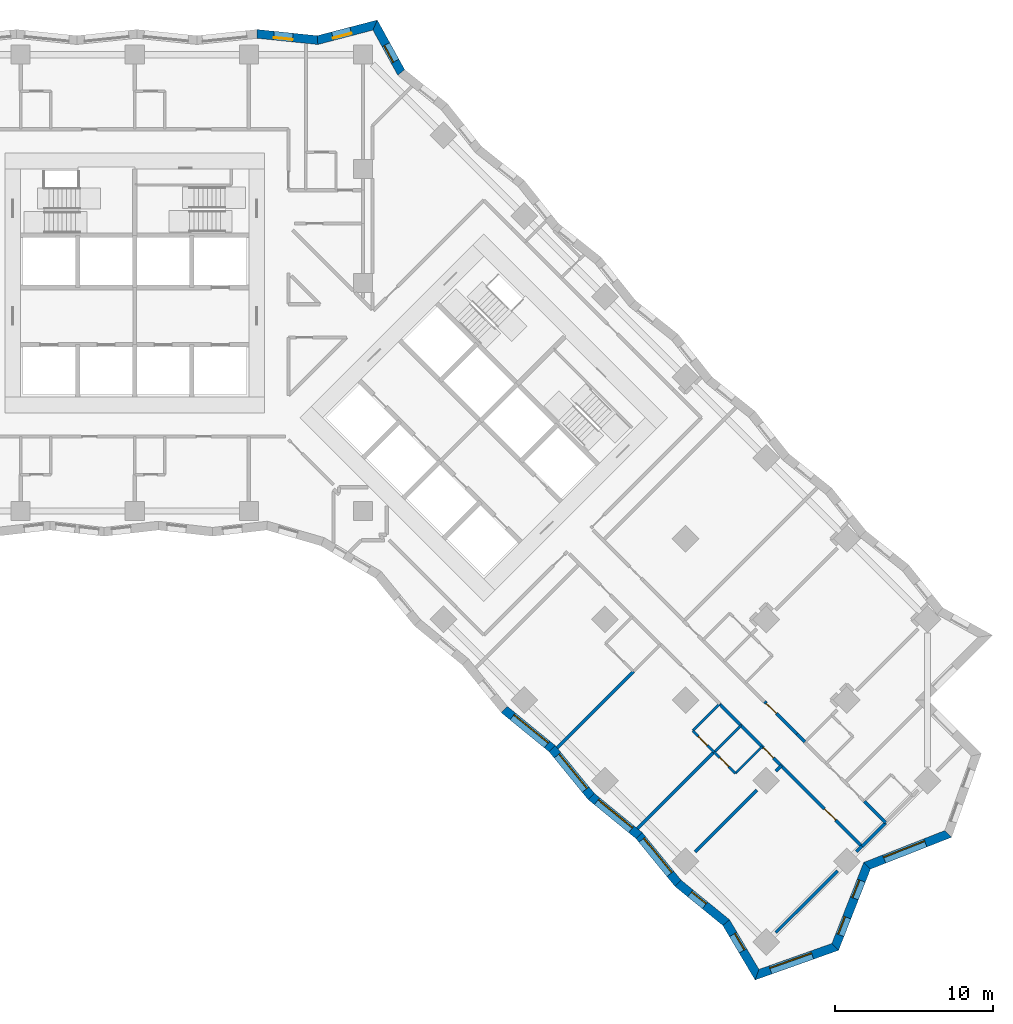
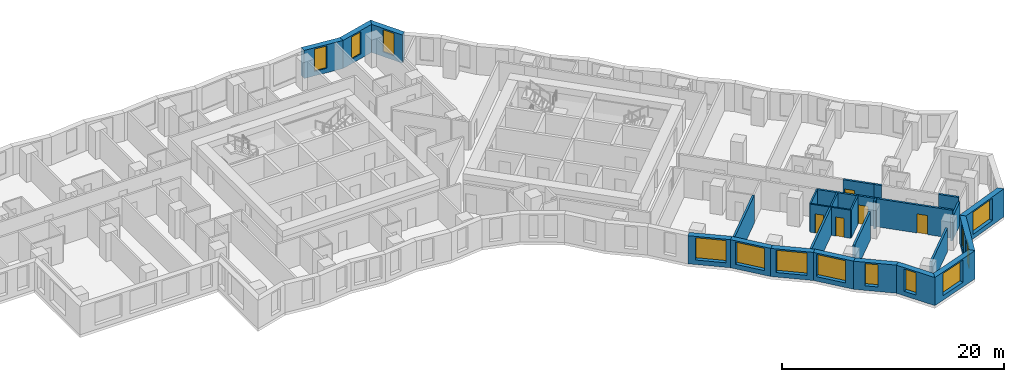
# One storey, part 7 of 12: 29 walls, 13 windows, 5 doors, 18 openings.
"""IFC4 building model written with IfcOpenShell, lengths in metres."""

from ifc_helpers import new_model, si_unit, direction, frame, frame_2d, origin, place, context, subcontext, project, spatial, polyline, rectangle, outline, extrude, material, layer, layer_set, type_object, element, fill, save


model = new_model("IFC4")

# Units and contexts
model_context = context("Model", 3, precision=1e-05, world=origin(), true_north=direction((0.0, 1.0)))
body_context = subcontext(model_context, "Body", "Model", "MODEL_VIEW")
ifc_project = project(units=[si_unit("LENGTHUNIT", "METRE"), si_unit("AREAUNIT", "SQUARE_METRE"), si_unit("VOLUMEUNIT", "CUBIC_METRE"), si_unit("PLANEANGLEUNIT", "RADIAN"), si_unit("MASSUNIT", "GRAM", prefix="KILO")], contexts=[model_context])

# Site, building, storey
site_placement = place(None, origin())
site = spatial("IfcSite", under=ifc_project, at=site_placement, CompositionType="ELEMENT")
building_placement = place(site_placement, origin())
building = spatial("IfcBuilding", under=site, at=building_placement, Name="Windrow Commons", CompositionType="ELEMENT")
storey_placement = place(building_placement, frame((0.0, 0.0, 37.2)))
storey = spatial("IfcBuildingStorey", under=building, at=storey_placement, Name="L09", CompositionType="ELEMENT", Elevation=37.2)

# Wall, opening, window
ifc_material_1 = material(Name="Brick masonry, red clay brick", Category="masonry")
ifc_layer_1 = layer(ifc_material_1, 0.55)
ifc_layer_set_1 = layer_set([ifc_layer_1], Name="Brick facade wall 550")
wall_type_1 = type_object("IfcWallType", Name="Brick facade wall 550", PredefinedType="SOLIDWALL", material=ifc_layer_set_1)
wall_1_placement = place(storey_placement, frame((104.0762, 13.9343, 0.0), z_axis=(0.0, 0.0, 1.0), x_axis=(0.9422329025, 0.3349584414, 0.0)))
wall_1 = element("IfcWall", 1, at=wall_1_placement, inside=storey, type_object=wall_type_1, Name="Brick facade wall L09 1", PredefinedType="SOLIDWALL", context=body_context, shape_type="SweptSolid", body=[
    extrude(outline(polyline([(-0.2263, -0.275), (5.3629, -0.275), (5.1124, 0.275), (0.2263, 0.275), (-0.2263, -0.275)])), origin(), (0.0, 0.0, 1.0), 3.1),
])
opening_1_placement = place(wall_1_placement, frame((0.8954, 0.0, 0.5)))
opening_1 = element("IfcOpeningElement", 2, at=opening_1_placement, cuts=wall_1, Name="Opening W1T", PredefinedType="OPENING", context=body_context, shape_type="SweptSolid", body=[
    extrude(rectangle(XDim=2.8, YDim=2.45, at=frame_2d((1.4, 1.225))), frame((0.0, 0.285, 0.0), z_axis=(0.0, -1.0, 0.0), x_axis=(1.0, 0.0, 0.0)), (0.0, 0.0, 1.0), 0.57),
])
ifc_material_2 = material(Name="Clear float glass in anodised aluminium frame", Category="aluminium")
window_type_1 = type_object("IfcWindowType", Name="Window W1T bedroom 2800x2450", PartitioningType="SINGLE_PANEL", PredefinedType="WINDOW", material=ifc_material_2)
window_1_placement = place(opening_1_placement, origin())
window_1 = element("IfcWindow", 3, at=window_1_placement, inside=storey, type_object=window_type_1, Name="Window L09 1.1", OverallHeight=2.45, OverallWidth=2.8, PartitioningType="SINGLE_PANEL", PredefinedType="WINDOW", context=body_context, shape_type="SweptSolid", body=[
    extrude(rectangle(XDim=2.8, YDim=2.45, at=frame_2d((1.4, 1.225))), frame((0.0, 0.155, 0.0), z_axis=(0.0, -1.0, 0.0), x_axis=(1.0, 0.0, 0.0)), (0.0, 0.0, 1.0), 0.06),
])
fill(opening_1, window_1)

# Wall, openings, windows
wall_2_placement = place(storey_placement, frame((109.0113, 15.6887, 0.0), z_axis=(0.0, 0.0, 1.0), x_axis=(0.3657013038, 0.9307322689, 0.0)))
wall_2 = element("IfcWall", 4, at=wall_2_placement, inside=storey, type_object=wall_type_1, Name="Brick facade wall L09 2", PredefinedType="SOLIDWALL", context=body_context, shape_type="SweptSolid", body=[
    extrude(outline(polyline([(-0.1253, -0.275), (5.3811, -0.275), (5.6208, 0.275), (0.1253, 0.275), (-0.1253, -0.275)])), origin(), (0.0, 0.0, 1.0), 3.1),
])
opening_2_placement = place(wall_2_placement, frame((0.8043, 0.0, 0.5)))
opening_2 = element("IfcOpeningElement", 5, at=opening_2_placement, cuts=wall_2, Name="Opening W7D", PredefinedType="OPENING", context=body_context, shape_type="SweptSolid", body=[
    extrude(rectangle(XDim=1.2, YDim=2.45, at=frame_2d((0.6, 1.225))), frame((0.0, 0.285, 0.0), z_axis=(0.0, -1.0, 0.0), x_axis=(1.0, 0.0, 0.0)), (0.0, 0.0, 1.0), 0.57),
])
opening_3_placement = place(wall_2_placement, frame((3.2921, 0.0, 0.5)))
opening_3 = element("IfcOpeningElement", 6, at=opening_3_placement, cuts=wall_2, Name="Opening W7D", PredefinedType="OPENING", context=body_context, shape_type="SweptSolid", body=[
    extrude(rectangle(XDim=1.2, YDim=2.45, at=frame_2d((0.6, 1.225))), frame((0.0, 0.285, 0.0), z_axis=(0.0, -1.0, 0.0), x_axis=(1.0, 0.0, 0.0)), (0.0, 0.0, 1.0), 0.57),
])
ifc_material_3 = material(Name="Clear float glass in anodised aluminium frame", Category="aluminium")
window_type_2 = type_object("IfcWindowType", Name="Window W7 notch 1200x2450", PartitioningType="SINGLE_PANEL", PredefinedType="WINDOW", material=ifc_material_3)
window_2_placement = place(opening_2_placement, origin())
window_2 = element("IfcWindow", 7, at=window_2_placement, inside=storey, type_object=window_type_2, Name="Window L09 2.1", OverallHeight=2.45, OverallWidth=1.2, PartitioningType="SINGLE_PANEL", PredefinedType="WINDOW", context=body_context, shape_type="SweptSolid", body=[
    extrude(rectangle(XDim=1.2, YDim=2.45, at=frame_2d((0.6, 1.225))), frame((0.0, 0.155, 0.0), z_axis=(0.0, -1.0, 0.0), x_axis=(1.0, 0.0, 0.0)), (0.0, 0.0, 1.0), 0.06),
])
fill(opening_2, window_2)
window_3_placement = place(opening_3_placement, origin())
window_3 = element("IfcWindow", 8, at=window_3_placement, inside=storey, type_object=window_type_2, Name="Window L09 2.2", OverallHeight=2.45, OverallWidth=1.2, PartitioningType="SINGLE_PANEL", PredefinedType="WINDOW", context=body_context, shape_type="SweptSolid", body=[
    extrude(rectangle(XDim=1.2, YDim=2.45, at=frame_2d((0.6, 1.225))), frame((0.0, 0.155, 0.0), z_axis=(0.0, -1.0, 0.0), x_axis=(1.0, 0.0, 0.0)), (0.0, 0.0, 1.0), 0.06),
])
fill(opening_3, window_3)

# Wall, opening, window
wall_3_placement = place(storey_placement, frame((111.023, 20.8086, 0.0), z_axis=(0.0, 0.0, 1.0), x_axis=(0.9307322689, 0.3657013038, 0.0)))
wall_3 = element("IfcWall", 9, at=wall_3_placement, inside=storey, type_object=wall_type_1, Name="Brick facade wall L09 3", PredefinedType="SOLIDWALL", context=body_context, shape_type="SweptSolid", body=[
    extrude(outline(polyline([(0.1199, -0.275), (5.6262, -0.275), (5.3757, 0.275), (-0.1199, 0.275), (0.1199, -0.275)])), origin(), (0.0, 0.0, 1.0), 3.1),
])
opening_4_placement = place(wall_3_placement, frame((1.1539, 0.0, 0.5)))
opening_4 = element("IfcOpeningElement", 10, at=opening_4_placement, cuts=wall_3, Name="Opening W1T", PredefinedType="OPENING", context=body_context, shape_type="SweptSolid", body=[
    extrude(rectangle(XDim=2.8, YDim=2.45, at=frame_2d((1.4, 1.225))), frame((0.0, 0.285, 0.0), z_axis=(0.0, -1.0, 0.0), x_axis=(1.0, 0.0, 0.0)), (0.0, 0.0, 1.0), 0.57),
])
window_4_placement = place(opening_4_placement, origin())
window_4 = element("IfcWindow", 11, at=window_4_placement, inside=storey, type_object=window_type_1, Name="Window L09 3.1", OverallHeight=2.45, OverallWidth=2.8, PartitioningType="SINGLE_PANEL", PredefinedType="WINDOW", context=body_context, shape_type="SweptSolid", body=[
    extrude(rectangle(XDim=2.8, YDim=2.45, at=frame_2d((1.4, 1.225))), frame((0.0, 0.155, 0.0), z_axis=(0.0, -1.0, 0.0), x_axis=(1.0, 0.0, 0.0)), (0.0, 0.0, 1.0), 0.06),
])
fill(opening_4, window_4)

wall_4_placement = place(storey_placement, frame((81.6192, 70.8827, 0.0), z_axis=(0.0, 0.0, 1.0), x_axis=(-0.4831532481, 0.875535801, 0.0)))
wall_4 = element("IfcWall", 12, at=wall_4_placement, inside=storey, type_object=wall_type_1, Name="Brick facade wall L09 22", PredefinedType="SOLIDWALL", context=body_context, shape_type="SweptSolid", body=[
    extrude(outline(polyline([(0.055, -0.275), (3.6269, -0.275), (3.1992, 0.275), (-0.055, 0.275), (0.055, -0.275)])), origin(), (0.0, 0.0, 1.0), 3.1),
])
opening_5_placement = place(wall_4_placement, frame((0.8015, 0.0, 0.5)))
opening_5 = element("IfcOpeningElement", 13, at=opening_5_placement, cuts=wall_4, Name="Opening W7D", PredefinedType="OPENING", context=body_context, shape_type="SweptSolid", body=[
    extrude(rectangle(XDim=1.2, YDim=2.45, at=frame_2d((0.6, 1.225))), frame((0.0, 0.285, 0.0), z_axis=(0.0, -1.0, 0.0), x_axis=(1.0, 0.0, 0.0)), (0.0, 0.0, 1.0), 0.57),
])
window_5_placement = place(opening_5_placement, origin())
window_5 = element("IfcWindow", 14, at=window_5_placement, inside=storey, type_object=window_type_2, Name="Window L09 22.1", OverallHeight=2.45, OverallWidth=1.2, PartitioningType="SINGLE_PANEL", PredefinedType="WINDOW", context=body_context, shape_type="SweptSolid", body=[
    extrude(rectangle(XDim=1.2, YDim=2.45, at=frame_2d((0.6, 1.225))), frame((0.0, 0.155, 0.0), z_axis=(0.0, -1.0, 0.0), x_axis=(1.0, 0.0, 0.0)), (0.0, 0.0, 1.0), 0.06),
])
fill(opening_5, window_5)

wall_5_placement = place(storey_placement, frame((79.9702, 73.8709, 0.0), z_axis=(0.0, 0.0, 1.0), x_axis=(-0.9675284554, -0.2527621176, 0.0)))
wall_5 = element("IfcWall", 15, at=wall_5_placement, inside=storey, type_object=wall_type_1, Name="Brick facade wall L09 23", PredefinedType="SOLIDWALL", context=body_context, shape_type="SweptSolid", body=[
    extrude(outline(polyline([(-0.2139, -0.275), (3.7071, -0.275), (3.8067, 0.275), (0.2139, 0.275), (-0.2139, -0.275)])), origin(), (0.0, 0.0, 1.0), 3.1),
])
opening_6_placement = place(wall_5_placement, frame((1.5764, 0.0, 0.5)))
opening_6 = element("IfcOpeningElement", 16, at=opening_6_placement, cuts=wall_5, Name="Opening W7D", PredefinedType="OPENING", context=body_context, shape_type="SweptSolid", body=[
    extrude(rectangle(XDim=1.2, YDim=2.45, at=frame_2d((0.6, 1.225))), frame((0.0, 0.285, 0.0), z_axis=(0.0, -1.0, 0.0), x_axis=(1.0, 0.0, 0.0)), (0.0, 0.0, 1.0), 0.57),
])
window_6_placement = place(opening_6_placement, origin())
window_6 = element("IfcWindow", 17, at=window_6_placement, inside=storey, type_object=window_type_2, Name="Window L09 23.1", OverallHeight=2.45, OverallWidth=1.2, PartitioningType="SINGLE_PANEL", PredefinedType="WINDOW", context=body_context, shape_type="SweptSolid", body=[
    extrude(rectangle(XDim=1.2, YDim=2.45, at=frame_2d((0.6, 1.225))), frame((0.0, 0.155, 0.0), z_axis=(0.0, -1.0, 0.0), x_axis=(1.0, 0.0, 0.0)), (0.0, 0.0, 1.0), 0.06),
])
fill(opening_6, window_6)

wall_6_placement = place(storey_placement, frame((76.3353, 72.9213, 0.0), z_axis=(0.0, 0.0, 1.0), x_axis=(-0.9947305582, 0.1025237367, 0.0)))
wall_6 = element("IfcWall", 18, at=wall_6_placement, inside=storey, type_object=wall_type_1, Name="Brick facade wall L09 24", PredefinedType="SOLIDWALL", context=body_context, shape_type="SweptSolid", body=[
    extrude(outline(polyline([(0.0498, -0.275), (3.8635, -0.275), (3.8069, 0.275), (-0.0498, 0.275), (0.0498, -0.275)])), origin(), (0.0, 0.0, 1.0), 3.1),
])
opening_7_placement = place(wall_6_placement, frame((1.573, 0.0, 0.5)))
opening_7 = element("IfcOpeningElement", 19, at=opening_7_placement, cuts=wall_6, Name="Opening W7D", PredefinedType="OPENING", context=body_context, shape_type="SweptSolid", body=[
    extrude(rectangle(XDim=1.2, YDim=2.45, at=frame_2d((0.6, 1.225))), frame((0.0, 0.285, 0.0), z_axis=(0.0, -1.0, 0.0), x_axis=(1.0, 0.0, 0.0)), (0.0, 0.0, 1.0), 0.57),
])
window_7_placement = place(opening_7_placement, origin())
window_7 = element("IfcWindow", 20, at=window_7_placement, inside=storey, type_object=window_type_2, Name="Window L09 24.1", OverallHeight=2.45, OverallWidth=1.2, PartitioningType="SINGLE_PANEL", PredefinedType="WINDOW", context=body_context, shape_type="SweptSolid", body=[
    extrude(rectangle(XDim=1.2, YDim=2.45, at=frame_2d((0.6, 1.225))), frame((0.0, 0.155, 0.0), z_axis=(0.0, -1.0, 0.0), x_axis=(1.0, 0.0, 0.0)), (0.0, 0.0, 1.0), 0.06),
])
fill(opening_7, window_7)

wall_7_placement = place(storey_placement, frame((88.129, 30.6648, 0.0), z_axis=(0.0, 0.0, 1.0), x_axis=(0.774508234, -0.6325638271, 0.0)))
wall_7 = element("IfcWall", 21, at=wall_7_placement, inside=storey, type_object=wall_type_1, Name="Brick facade wall L09 58", PredefinedType="SOLIDWALL", context=body_context, shape_type="SweptSolid", body=[
    extrude(outline(polyline([(-0.0277, -0.275), (3.8682, -0.275), (3.9237, 0.275), (0.0277, 0.275), (-0.0277, -0.275)])), origin(), (0.0, 0.0, 1.0), 3.1),
])
opening_8_placement = place(wall_7_placement, frame((0.6781, 0.0, 0.5)))
opening_8 = element("IfcOpeningElement", 22, at=opening_8_placement, cuts=wall_7, Name="Opening W1T", PredefinedType="OPENING", context=body_context, shape_type="SweptSolid", body=[
    extrude(rectangle(XDim=2.8, YDim=2.45, at=frame_2d((1.4, 1.225))), frame((0.0, 0.285, 0.0), z_axis=(0.0, -1.0, 0.0), x_axis=(1.0, 0.0, 0.0)), (0.0, 0.0, 1.0), 0.57),
])
window_8_placement = place(opening_8_placement, origin())
window_8 = element("IfcWindow", 23, at=window_8_placement, inside=storey, type_object=window_type_1, Name="Window L09 58.1", OverallHeight=2.45, OverallWidth=2.8, PartitioningType="SINGLE_PANEL", PredefinedType="WINDOW", context=body_context, shape_type="SweptSolid", body=[
    extrude(rectangle(XDim=2.8, YDim=2.45, at=frame_2d((1.4, 1.225))), frame((0.0, 0.155, 0.0), z_axis=(0.0, -1.0, 0.0), x_axis=(1.0, 0.0, 0.0)), (0.0, 0.0, 1.0), 0.06),
])
fill(opening_8, window_8)

wall_8_placement = place(storey_placement, frame((91.1464, 28.2004, 0.0), z_axis=(0.0, 0.0, 1.0), x_axis=(0.6325666489, -0.7745059294, 0.0)))
wall_8 = element("IfcWall", 24, at=wall_8_placement, inside=storey, type_object=wall_type_1, Name="Brick facade wall L09 59", PredefinedType="SOLIDWALL", context=body_context, shape_type="SweptSolid", body=[
    extrude(outline(polyline([(0.0277, -0.275), (3.9237, -0.275), (3.8682, 0.275), (-0.0277, 0.275), (0.0277, -0.275)])), origin(), (0.0, 0.0, 1.0), 3.1),
])
opening_9_placement = place(wall_8_placement, frame((0.5341, 0.0, 0.5)))
opening_9 = element("IfcOpeningElement", 25, at=opening_9_placement, cuts=wall_8, Name="Opening W1T", PredefinedType="OPENING", context=body_context, shape_type="SweptSolid", body=[
    extrude(rectangle(XDim=2.8, YDim=2.45, at=frame_2d((1.4, 1.225))), frame((0.0, 0.285, 0.0), z_axis=(0.0, -1.0, 0.0), x_axis=(1.0, 0.0, 0.0)), (0.0, 0.0, 1.0), 0.57),
])
window_9_placement = place(opening_9_placement, origin())
window_9 = element("IfcWindow", 26, at=window_9_placement, inside=storey, type_object=window_type_1, Name="Window L09 59.1", OverallHeight=2.45, OverallWidth=2.8, PartitioningType="SINGLE_PANEL", PredefinedType="WINDOW", context=body_context, shape_type="SweptSolid", body=[
    extrude(rectangle(XDim=2.8, YDim=2.45, at=frame_2d((1.4, 1.225))), frame((0.0, 0.155, 0.0), z_axis=(0.0, -1.0, 0.0), x_axis=(1.0, 0.0, 0.0)), (0.0, 0.0, 1.0), 0.06),
])
fill(opening_9, window_9)

wall_9_placement = place(storey_placement, frame((93.6109, 25.1829, 0.0), z_axis=(0.0, 0.0, 1.0), x_axis=(0.7744956586, -0.6325792241, 0.0)))
wall_9 = element("IfcWall", 27, at=wall_9_placement, inside=storey, type_object=wall_type_1, Name="Brick facade wall L09 60", PredefinedType="SOLIDWALL", context=body_context, shape_type="SweptSolid", body=[
    extrude(outline(polyline([(-0.0277, -0.275), (3.8682, -0.275), (3.9237, 0.275), (0.0277, 0.275), (-0.0277, -0.275)])), origin(), (0.0, 0.0, 1.0), 3.1),
])
opening_10_placement = place(wall_9_placement, frame((0.4754, 0.0, 0.5)))
opening_10 = element("IfcOpeningElement", 28, at=opening_10_placement, cuts=wall_9, Name="Opening W1T", PredefinedType="OPENING", context=body_context, shape_type="SweptSolid", body=[
    extrude(rectangle(XDim=2.8, YDim=2.45, at=frame_2d((1.4, 1.225))), frame((0.0, 0.285, 0.0), z_axis=(0.0, -1.0, 0.0), x_axis=(1.0, 0.0, 0.0)), (0.0, 0.0, 1.0), 0.57),
])
window_10_placement = place(opening_10_placement, origin())
window_10 = element("IfcWindow", 29, at=window_10_placement, inside=storey, type_object=window_type_1, Name="Window L09 60.1", OverallHeight=2.45, OverallWidth=2.8, PartitioningType="SINGLE_PANEL", PredefinedType="WINDOW", context=body_context, shape_type="SweptSolid", body=[
    extrude(rectangle(XDim=2.8, YDim=2.45, at=frame_2d((1.4, 1.225))), frame((0.0, 0.155, 0.0), z_axis=(0.0, -1.0, 0.0), x_axis=(1.0, 0.0, 0.0)), (0.0, 0.0, 1.0), 0.06),
])
fill(opening_10, window_10)

wall_10_placement = place(storey_placement, frame((96.6283, 22.7184, 0.0), z_axis=(0.0, 0.0, 1.0), x_axis=(0.6325792241, -0.7744956586, 0.0)))
wall_10 = element("IfcWall", 30, at=wall_10_placement, inside=storey, type_object=wall_type_1, Name="Brick facade wall L09 61", PredefinedType="SOLIDWALL", context=body_context, shape_type="SweptSolid", body=[
    extrude(outline(polyline([(0.0277, -0.275), (3.9237, -0.275), (3.8682, 0.275), (-0.0277, 0.275), (0.0277, -0.275)])), origin(), (0.0, 0.0, 1.0), 3.1),
])
opening_11_placement = place(wall_10_placement, frame((0.3227, 0.0, 0.5)))
opening_11 = element("IfcOpeningElement", 31, at=opening_11_placement, cuts=wall_10, Name="Opening W1T", PredefinedType="OPENING", context=body_context, shape_type="SweptSolid", body=[
    extrude(rectangle(XDim=2.8, YDim=2.45, at=frame_2d((1.4, 1.225))), frame((0.0, 0.285, 0.0), z_axis=(0.0, -1.0, 0.0), x_axis=(1.0, 0.0, 0.0)), (0.0, 0.0, 1.0), 0.57),
])
window_11_placement = place(opening_11_placement, origin())
window_11 = element("IfcWindow", 32, at=window_11_placement, inside=storey, type_object=window_type_1, Name="Window L09 61.1", OverallHeight=2.45, OverallWidth=2.8, PartitioningType="SINGLE_PANEL", PredefinedType="WINDOW", context=body_context, shape_type="SweptSolid", body=[
    extrude(rectangle(XDim=2.8, YDim=2.45, at=frame_2d((1.4, 1.225))), frame((0.0, 0.155, 0.0), z_axis=(0.0, -1.0, 0.0), x_axis=(1.0, 0.0, 0.0)), (0.0, 0.0, 1.0), 0.06),
])
fill(opening_11, window_11)

wall_11_placement = place(storey_placement, frame((99.0928, 19.701, 0.0), z_axis=(0.0, 0.0, 1.0), x_axis=(0.7744973138, -0.6325771976, 0.0)))
wall_11 = element("IfcWall", 33, at=wall_11_placement, inside=storey, type_object=wall_type_1, Name="Brick facade wall L09 62", PredefinedType="SOLIDWALL", context=body_context, shape_type="SweptSolid", body=[
    extrude(outline(polyline([(-0.0277, -0.275), (3.8682, -0.275), (3.9657, 0.275), (0.0277, 0.275), (-0.0277, -0.275)])), origin(), (0.0, 0.0, 1.0), 3.1),
])
opening_12_placement = place(wall_11_placement, frame((0.9977, 0.0, 0.5)))
opening_12 = element("IfcOpeningElement", 34, at=opening_12_placement, cuts=wall_11, Name="Opening W7D", PredefinedType="OPENING", context=body_context, shape_type="SweptSolid", body=[
    extrude(rectangle(XDim=1.2, YDim=2.45, at=frame_2d((0.6, 1.225))), frame((0.0, 0.285, 0.0), z_axis=(0.0, -1.0, 0.0), x_axis=(1.0, 0.0, 0.0)), (0.0, 0.0, 1.0), 0.57),
])
window_12_placement = place(opening_12_placement, origin())
window_12 = element("IfcWindow", 35, at=window_12_placement, inside=storey, type_object=window_type_2, Name="Window L09 62.1", OverallHeight=2.45, OverallWidth=1.2, PartitioningType="SINGLE_PANEL", PredefinedType="WINDOW", context=body_context, shape_type="SweptSolid", body=[
    extrude(rectangle(XDim=1.2, YDim=2.45, at=frame_2d((0.6, 1.225))), frame((0.0, 0.155, 0.0), z_axis=(0.0, -1.0, 0.0), x_axis=(1.0, 0.0, 0.0)), (0.0, 0.0, 1.0), 0.06),
])
fill(opening_12, window_12)

wall_12_placement = place(storey_placement, frame((102.1265, 17.2232, 0.0), z_axis=(0.0, 0.0, 1.0), x_axis=(0.5099421862, -0.8602086763, 0.0)))
wall_12 = element("IfcWall", 36, at=wall_12_placement, inside=storey, type_object=wall_type_1, Name="Brick facade wall L09 63", PredefinedType="SOLIDWALL", context=body_context, shape_type="SweptSolid", body=[
    extrude(outline(polyline([(0.0487, -0.275), (4.0497, -0.275), (3.597, 0.275), (-0.0487, 0.275), (0.0487, -0.275)])), origin(), (0.0, 0.0, 1.0), 3.1),
])
opening_13_placement = place(wall_12_placement, frame((0.8704, 0.0, 0.5)))
opening_13 = element("IfcOpeningElement", 37, at=opening_13_placement, cuts=wall_12, Name="Opening W7D", PredefinedType="OPENING", context=body_context, shape_type="SweptSolid", body=[
    extrude(rectangle(XDim=1.2, YDim=2.45, at=frame_2d((0.6, 1.225))), frame((0.0, 0.285, 0.0), z_axis=(0.0, -1.0, 0.0), x_axis=(1.0, 0.0, 0.0)), (0.0, 0.0, 1.0), 0.57),
])
window_13_placement = place(opening_13_placement, origin())
window_13 = element("IfcWindow", 38, at=window_13_placement, inside=storey, type_object=window_type_2, Name="Window L09 63.1", OverallHeight=2.45, OverallWidth=1.2, PartitioningType="SINGLE_PANEL", PredefinedType="WINDOW", context=body_context, shape_type="SweptSolid", body=[
    extrude(rectangle(XDim=1.2, YDim=2.45, at=frame_2d((0.6, 1.225))), frame((0.0, 0.155, 0.0), z_axis=(0.0, -1.0, 0.0), x_axis=(1.0, 0.0, 0.0)), (0.0, 0.0, 1.0), 0.06),
])
fill(opening_13, window_13)

# Wall, openings, doors
ifc_material_4 = material(Name="Blockwork partition", Category="masonry")
ifc_layer_2 = layer(ifc_material_4, 0.2)
ifc_layer_set_2 = layer_set([ifc_layer_2], Name="IW-CORRIDOR-200")
wall_type_2 = type_object("IfcWallType", Name="IW-CORRIDOR-200", PredefinedType="PARTITIONING", material=ifc_layer_set_2)
wall_13_placement = place(storey_placement, frame((103.061, 29.677, 0.0), z_axis=(0.0, 0.0, 1.0), x_axis=(0.7071067812, -0.7071067812, 0.0)))
wall_13 = element("IfcWall", 39, at=wall_13_placement, inside=storey, type_object=wall_type_2, Name="W-L09-W009", PredefinedType="PARTITIONING", context=body_context, shape_type="SweptSolid", body=[
    extrude(rectangle(XDim=10.8018, YDim=0.2, at=frame_2d((5.4009, 0.0))), origin(), (0.0, 0.0, 1.0), 3.1),
])
opening_14_placement = place(wall_13_placement, frame((2.012, 0.0, 0.0)))
opening_14 = element("IfcOpeningElement", 40, at=opening_14_placement, cuts=wall_13, Name="Opening D109S", PredefinedType="OPENING", context=body_context, shape_type="SweptSolid", body=[
    extrude(rectangle(XDim=0.9, YDim=2.1, at=frame_2d((0.45, 1.05))), frame((0.0, 0.11, 0.0), z_axis=(0.0, -1.0, 0.0), x_axis=(1.0, 0.0, 0.0)), (0.0, 0.0, 1.0), 0.22),
])
opening_15_placement = place(wall_13_placement, frame((7.4633, 0.0, 0.0)))
opening_15 = element("IfcOpeningElement", 41, at=opening_15_placement, cuts=wall_13, Name="Opening D310F", PredefinedType="OPENING", context=body_context, shape_type="SweptSolid", body=[
    extrude(rectangle(XDim=1.0, YDim=2.1, at=frame_2d((0.5, 1.05))), frame((0.0, 0.11, 0.0), z_axis=(0.0, -1.0, 0.0), x_axis=(1.0, 0.0, 0.0)), (0.0, 0.0, 1.0), 0.22),
])
ifc_material_5 = material(Name="Timber door leaf", Category="wood")
door_type_1 = type_object("IfcDoorType", Name="DT-AMENITY-1000", OperationType="SINGLE_SWING_LEFT", PredefinedType="DOOR", material=ifc_material_5)
door_1_placement = place(opening_15_placement, origin())
door_1 = element("IfcDoor", 42, at=door_1_placement, inside=storey, type_object=door_type_1, Name="D-L09-D057", OperationType="SINGLE_SWING_RIGHT", OverallHeight=2.1, OverallWidth=1.0, PredefinedType="DOOR", context=body_context, shape_type="SweptSolid", body=[
    extrude(rectangle(XDim=1.0, YDim=2.1, at=frame_2d((0.5, 1.05))), frame((0.0, 0.025, 0.0), z_axis=(0.0, -1.0, 0.0), x_axis=(1.0, 0.0, 0.0)), (0.0, 0.0, 1.0), 0.05),
])
fill(opening_15, door_1)
ifc_material_6 = material(Name="Timber door leaf", Category="wood")
door_type_2 = type_object("IfcDoorType", Name="DT-BEDROOM-900", OperationType="SINGLE_SWING_LEFT", PredefinedType="DOOR", material=ifc_material_6)
door_2_placement = place(opening_14_placement, origin())
door_2 = element("IfcDoor", 43, at=door_2_placement, inside=storey, type_object=door_type_2, Name="D-L09-D055", OperationType="SINGLE_SWING_LEFT", OverallHeight=2.1, OverallWidth=0.9, PredefinedType="DOOR", context=body_context, shape_type="SweptSolid", body=[
    extrude(rectangle(XDim=0.9, YDim=2.1, at=frame_2d((0.45, 1.05))), frame((0.0, 0.025, 0.0), z_axis=(0.0, -1.0, 0.0), x_axis=(1.0, 0.0, 0.0)), (0.0, 0.0, 1.0), 0.05),
])
fill(opening_14, door_2)

# Wall, opening, door
wall_14_placement = place(storey_placement, frame((104.5509, 31.1649, 0.0), z_axis=(0.0, 0.0, 1.0), x_axis=(0.7074545101, -0.7067588812, 0.0)))
wall_14 = element("IfcWall", 44, at=wall_14_placement, inside=storey, type_object=wall_type_2, Name="W-L09-W064", PredefinedType="PARTITIONING", context=body_context, shape_type="SweptSolid", body=[
    extrude(rectangle(XDim=2.8751, YDim=0.2, at=frame_2d((1.4376, 0.0))), origin(), (0.0, 0.0, 1.0), 3.1),
])
opening_16_placement = place(wall_14_placement, frame((0.1483, 0.0, 0.0)))
opening_16 = element("IfcOpeningElement", 45, at=opening_16_placement, cuts=wall_14, Name="Opening D109F", PredefinedType="OPENING", context=body_context, shape_type="SweptSolid", body=[
    extrude(rectangle(XDim=0.9, YDim=2.1, at=frame_2d((0.45, 1.05))), frame((0.0, 0.11, 0.0), z_axis=(0.0, -1.0, 0.0), x_axis=(1.0, 0.0, 0.0)), (0.0, 0.0, 1.0), 0.22),
])
door_3_placement = place(opening_16_placement, origin())
door_3 = element("IfcDoor", 46, at=door_3_placement, inside=storey, type_object=door_type_2, Name="D-L09-D043", OperationType="SINGLE_SWING_LEFT", OverallHeight=2.1, OverallWidth=0.9, PredefinedType="DOOR", context=body_context, shape_type="SweptSolid", body=[
    extrude(rectangle(XDim=0.9, YDim=2.1, at=frame_2d((0.45, 1.05))), frame((0.0, 0.025, 0.0), z_axis=(0.0, -1.0, 0.0), x_axis=(1.0, 0.0, 0.0)), (0.0, 0.0, 1.0), 0.05),
])
fill(opening_16, door_3)

# Walls
wall_15_placement = place(storey_placement, frame((110.7053, 22.0387, 0.0), z_axis=(0.0, 0.0, 1.0), x_axis=(0.7066304548, 0.7075827869, 0.0)))
element("IfcWall", 47, at=wall_15_placement, inside=storey, type_object=wall_type_2, Name="W-L09-W115", PredefinedType="PARTITIONING", context=body_context, shape_type="SweptSolid", body=[
    extrude(rectangle(XDim=2.1001, YDim=0.2, at=frame_2d((1.05, 0.0))), origin(), (0.0, 0.0, 1.0), 2.6),
])
for number, where, z_axis, x_axis, name in (
    (48, (110.8433, 24.8713, 0.0), (0.0, 0.0, 1.0), (0.7065800724, -0.7076330979, 0.0), "W-L09-W138"),
    (49, (101.72, 31.022, 0.0), (0.0, 0.0, 1.0), (0.7065800724, -0.7076330979, 0.0), "W-L09-W141"),
):
    element("IfcWall", number, at=place(storey_placement, frame(where, z_axis=z_axis, x_axis=x_axis)), inside=storey, type_object=wall_type_2, Name=name, PredefinedType="PARTITIONING", context=body_context, shape_type="SweptSolid", body=[
        extrude(rectangle(XDim=1.8993, YDim=0.2, at=frame_2d((0.9496, 0.0))), origin(), (0.0, 0.0, 1.0), 3.1),
    ])
wall_16_placement = place(storey_placement, frame((106.587, 29.135, 0.0), z_axis=(0.0, 0.0, 1.0), x_axis=(0.7071067812, -0.7071067812, 0.0)))
element("IfcWall", 50, at=wall_16_placement, inside=storey, type_object=wall_type_2, Name="W-L09-W165", PredefinedType="PARTITIONING", context=body_context, shape_type="SweptSolid", body=[
    extrude(rectangle(XDim=0.7241, YDim=0.2, at=frame_2d((0.362, 0.0))), origin(), (0.0, 0.0, 1.0), 3.1),
])
ifc_material_7 = material(Name="Blockwork partition", Category="masonry")
ifc_layer_3 = layer(ifc_material_7, 0.15)
ifc_layer_set_3 = layer_set([ifc_layer_3], Name="IW-ENSUITE-150")
wall_type_3 = type_object("IfcWallType", Name="IW-ENSUITE-150", PredefinedType="PARTITIONING", material=ifc_layer_set_3)
wall_17_placement = place(storey_placement, frame((100.0233, 29.3267, 0.0), z_axis=(0.0, 0.0, 1.0), x_axis=(0.7071067812, 0.7071067812, 0.0)))
element("IfcWall", 51, at=wall_17_placement, inside=storey, type_object=wall_type_3, Name="W-L09-W075", PredefinedType="PARTITIONING", context=body_context, shape_type="SweptSolid", body=[
    extrude(rectangle(XDim=2.4013, YDim=0.15, at=frame_2d((1.2006, 0.0))), origin(), (0.0, 0.0, 1.0), 3.1),
])
wall_18_placement = place(storey_placement, frame((101.3711, 27.9789, 0.0), z_axis=(0.0, 0.0, 1.0), x_axis=(0.706689978, 0.7075233388, 0.0)))
element("IfcWall", 52, at=wall_18_placement, inside=storey, type_object=wall_type_3, Name="W-L09-W105", PredefinedType="PARTITIONING", context=body_context, shape_type="SweptSolid", body=[
    extrude(rectangle(XDim=2.3999, YDim=0.15, at=frame_2d((1.2, 0.0))), origin(), (0.0, 0.0, 1.0), 3.1),
])
wall_19_placement = place(storey_placement, frame((102.7113, 26.6407, 0.0), z_axis=(0.0, 0.0, 1.0), x_axis=(0.7071067812, 0.7071067812, 0.0)))
element("IfcWall", 53, at=wall_19_placement, inside=storey, type_object=wall_type_3, Name="W-L09-W109", PredefinedType="PARTITIONING", context=body_context, shape_type="SweptSolid", body=[
    extrude(rectangle(XDim=2.3985, YDim=0.15, at=frame_2d((1.1992, 0.0))), origin(), (0.0, 0.0, 1.0), 3.1),
])

# Wall, opening, door
wall_20_placement = place(storey_placement, frame((100.021, 29.323, 0.0), z_axis=(0.0, 0.0, 1.0), x_axis=(0.7071067812, -0.7071067812, 0.0)))
wall_20 = element("IfcWall", 54, at=wall_20_placement, inside=storey, type_object=wall_type_3, Name="W-L09-W123", PredefinedType="PARTITIONING", context=body_context, shape_type="SweptSolid", body=[
    extrude(rectangle(XDim=1.9007, YDim=0.15, at=frame_2d((0.9504, 0.0))), origin(), (0.0, 0.0, 1.0), 3.1),
])
opening_17_placement = place(wall_20_placement, frame((0.4914, 0.0, 0.0)))
opening_17 = element("IfcOpeningElement", 55, at=opening_17_placement, cuts=wall_20, Name="Opening D208N", PredefinedType="OPENING", context=body_context, shape_type="SweptSolid", body=[
    extrude(rectangle(XDim=0.8, YDim=2.1, at=frame_2d((0.4, 1.05))), frame((0.0, 0.085, 0.0), z_axis=(0.0, -1.0, 0.0), x_axis=(1.0, 0.0, 0.0)), (0.0, 0.0, 1.0), 0.17),
])
ifc_material_8 = material(Name="Timber door leaf", Category="wood")
door_type_3 = type_object("IfcDoorType", Name="DT-ENSUITE-800", OperationType="SINGLE_SWING_LEFT", PredefinedType="DOOR", material=ifc_material_8)
door_4_placement = place(opening_17_placement, origin())
door_4 = element("IfcDoor", 56, at=door_4_placement, inside=storey, type_object=door_type_3, Name="D-L09-D054", OperationType="SINGLE_SWING_RIGHT", OverallHeight=2.1, OverallWidth=0.8, PredefinedType="DOOR", context=body_context, shape_type="SweptSolid", body=[
    extrude(rectangle(XDim=0.8, YDim=2.1, at=frame_2d((0.4, 1.05))), frame((0.0, 0.025, 0.0), z_axis=(0.0, -1.0, 0.0), x_axis=(1.0, 0.0, 0.0)), (0.0, 0.0, 1.0), 0.05),
])
fill(opening_17, door_4)

wall_21_placement = place(storey_placement, frame((101.3711, 27.9851, 0.0), z_axis=(0.0, 0.0, 1.0), x_axis=(0.7076330979, -0.7065800724, 0.0)))
wall_21 = element("IfcWall", 57, at=wall_21_placement, inside=storey, type_object=wall_type_3, Name="W-L09-W139", PredefinedType="PARTITIONING", context=body_context, shape_type="SweptSolid", body=[
    extrude(rectangle(XDim=1.8993, YDim=0.15, at=frame_2d((0.9496, 0.0))), origin(), (0.0, 0.0, 1.0), 3.1),
])
opening_18_placement = place(wall_21_placement, frame((0.5015, 0.0, 0.0)))
opening_18 = element("IfcOpeningElement", 58, at=opening_18_placement, cuts=wall_21, Name="Opening D208N", PredefinedType="OPENING", context=body_context, shape_type="SweptSolid", body=[
    extrude(rectangle(XDim=0.8, YDim=2.1, at=frame_2d((0.4, 1.05))), frame((0.0, 0.085, 0.0), z_axis=(0.0, -1.0, 0.0), x_axis=(1.0, 0.0, 0.0)), (0.0, 0.0, 1.0), 0.17),
])
door_5_placement = place(opening_18_placement, origin())
door_5 = element("IfcDoor", 59, at=door_5_placement, inside=storey, type_object=door_type_3, Name="D-L09-D056", OperationType="SINGLE_SWING_RIGHT", OverallHeight=2.1, OverallWidth=0.8, PredefinedType="DOOR", context=body_context, shape_type="SweptSolid", body=[
    extrude(rectangle(XDim=0.8, YDim=2.1, at=frame_2d((0.4, 1.05))), frame((0.0, 0.025, 0.0), z_axis=(0.0, -1.0, 0.0), x_axis=(1.0, 0.0, 0.0)), (0.0, 0.0, 1.0), 0.05),
])
fill(opening_18, door_5)

# Walls
ifc_material_9 = material(Name="Blockwork partition", Category="masonry")
ifc_layer_4 = layer(ifc_material_9, 0.2)
ifc_layer_set_4 = layer_set([ifc_layer_4], Name="IW-PARTY-200")
wall_type_4 = type_object("IfcWallType", Name="IW-PARTY-200", PredefinedType="PARTITIONING", material=ifc_layer_set_4)
wall_22_placement = place(storey_placement, frame((96.5341, 23.1505, 0.0), z_axis=(0.0, 0.0, 1.0), x_axis=(0.7071067812, 0.7071067812, 0.0)))
element("IfcWall", 60, at=wall_22_placement, inside=storey, type_object=wall_type_4, Name="W-L09-W020", PredefinedType="PARTITIONING", context=body_context, shape_type="SweptSolid", body=[
    extrude(rectangle(XDim=6.8345, YDim=0.2, at=frame_2d((3.4173, 0.0))), origin(), (0.0, 0.0, 1.0), 3.1),
])
wall_23_placement = place(storey_placement, frame((91.4566, 28.2554, 0.0), z_axis=(0.0, 0.0, 1.0), x_axis=(0.7071067812, 0.7071067812, 0.0)))
element("IfcWall", 61, at=wall_23_placement, inside=storey, type_object=wall_type_4, Name="W-L09-W021", PredefinedType="PARTITIONING", context=body_context, shape_type="SweptSolid", body=[
    extrude(rectangle(XDim=6.8151, YDim=0.2, at=frame_2d((3.4076, 0.0))), origin(), (0.0, 0.0, 1.0), 3.1),
])
wall_24_placement = place(storey_placement, frame((100.1634, 21.6886, 0.0), z_axis=(0.0, 0.0, 1.0), x_axis=(0.7071067812, 0.7071067812, 0.0)))
element("IfcWall", 62, at=wall_24_placement, inside=storey, type_object=wall_type_4, Name="W-L09-W035", PredefinedType="PARTITIONING", context=body_context, shape_type="SweptSolid", body=[
    extrude(rectangle(XDim=5.5041, YDim=0.2, at=frame_2d((2.7521, 0.0))), origin(), (0.0, 0.0, 1.0), 3.1),
])
wall_25_placement = place(storey_placement, frame((105.257, 16.597, 0.0), z_axis=(0.0, 0.0, 1.0), x_axis=(0.7072884866, 0.706925029, 0.0)))
element("IfcWall", 63, at=wall_25_placement, inside=storey, type_object=wall_type_4, Name="W-L09-W036", PredefinedType="PARTITIONING", context=body_context, shape_type="SweptSolid", body=[
    extrude(rectangle(XDim=5.5027, YDim=0.2, at=frame_2d((2.7513, 0.0))), origin(), (0.0, 0.0, 1.0), 2.6),
])
wall_26_placement = place(storey_placement, frame((105.2554, 26.7806, 0.0), z_axis=(0.0, 0.0, 1.0), x_axis=(0.7071067812, 0.7071067812, 0.0)))
element("IfcWall", 64, at=wall_26_placement, inside=storey, type_object=wall_type_4, Name="W-L09-W184", PredefinedType="PARTITIONING", context=body_context, shape_type="SweptSolid", body=[
    extrude(rectangle(XDim=0.5006, YDim=0.2, at=frame_2d((0.2503, 0.0))), origin(), (0.0, 0.0, 1.0), 3.1),
])
wall_27_placement = place(storey_placement, frame((110.3465, 21.6895, 0.0), z_axis=(0.0, 0.0, 1.0), x_axis=(0.7071067812, 0.7071067812, 0.0)))
element("IfcWall", 65, at=wall_27_placement, inside=storey, type_object=wall_type_4, Name="W-L09-W185", PredefinedType="PARTITIONING", context=body_context, shape_type="SweptSolid", body=[
    extrude(rectangle(XDim=0.5006, YDim=0.2, at=frame_2d((0.2503, 0.0))), origin(), (0.0, 0.0, 1.0), 2.6),
])

save(model, "model.ifc")
